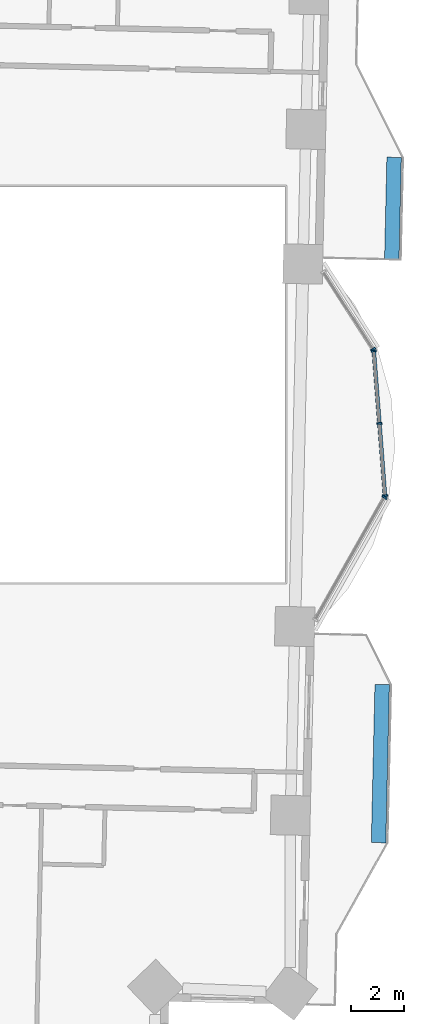
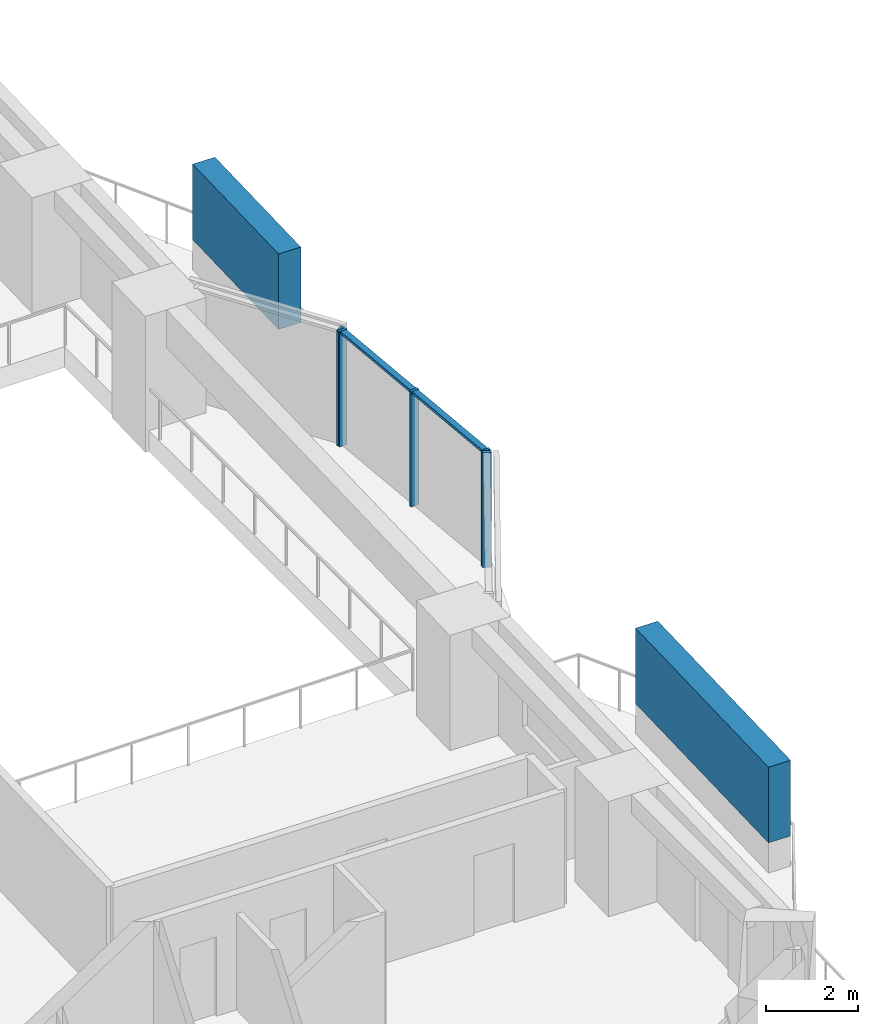
# One storey, part 5 of 19: 9 members, 3 elements without a shape of their own.
"""IFC4 building model written with IfcOpenShell, lengths in metres."""

from ifc_helpers import new_model, si_unit, direction, frame, origin, origin_2d, place, context, subcontext, project, spatial, rectangle, extrude, material, material_profile, profile_set, type_object, element, aggregate, save


model = new_model("IFC4")

# Units and contexts
model_context = context("Model", 3, precision=1e-05, world=origin(), true_north=direction((0.0, 1.0)))
body_context = subcontext(model_context, "Body", "Model", "MODEL_VIEW")
ifc_project = project(units=[si_unit("LENGTHUNIT", "METRE"), si_unit("AREAUNIT", "SQUARE_METRE"), si_unit("VOLUMEUNIT", "CUBIC_METRE"), si_unit("PLANEANGLEUNIT", "RADIAN"), si_unit("MASSUNIT", "GRAM", prefix="KILO")], contexts=[model_context])

# Site, building, storey
site_placement = place(None, origin())
site = spatial("IfcSite", under=ifc_project, at=site_placement, CompositionType="ELEMENT")
building_placement = place(site_placement, origin())
building = spatial("IfcBuilding", under=site, at=building_placement, Name="Mangrove Gate Tower", CompositionType="ELEMENT")
storey_placement = place(building_placement, frame((0.0, 0.0, 63.89990234375)))
storey = spatial("IfcBuildingStorey", under=building, at=storey_placement, Name="L15", CompositionType="ELEMENT", Elevation=63.89990234375)

# Curtain wall, member
ifc_material_1 = material(Name="Aluminium and glass curtain wall", Category="aluminium")
curtain_wall_type = type_object("IfcCurtainWallType", Name="Atrium garden-court glazing wall", PredefinedType="NOTDEFINED", material=ifc_material_1)
curtain_wall_1_placement = place(storey_placement, origin())
curtain_wall_1 = element("IfcCurtainWall", 1, at=curtain_wall_1_placement, inside=storey, type_object=curtain_wall_type, Name="Atrium garden-court glazing E1f1", PredefinedType="NOTDEFINED")
ifc_material_2 = material(Name="Aluminium alloy 6063-T6", Category="aluminium")
ifc_material_profile_1 = material_profile(ifc_material_2, rectangle(XDim=0.070068359375, YDim=0.199951171875, at=origin_2d()))
ifc_profile_set_1 = profile_set([ifc_material_profile_1], Name="Aluminium alloy 6063-T6")
member_type_1 = type_object("IfcMemberType", Name="Atrium garden-court glazing mullion 70x200", PredefinedType="MULLION", material=ifc_profile_set_1)
member_1_placement = place(storey_placement, frame((33.66162109375, -4.2822265625, 0.0), z_axis=(0.0, 0.0, 1.0), x_axis=(0.492603686489, 0.870253760726, 0.0)))
member_1 = element("IfcMember", 2, at=member_1_placement, type_object=member_type_1, Name="CWA mullion 2", PredefinedType="MULLION", context=body_context, shape_type="SweptSolid", body=[
    extrude(rectangle(XDim=0.070068359375, YDim=0.199951171875, at=origin_2d()), origin(), (0.0, 0.0, 1.0), 3.050048828125),
])
aggregate(curtain_wall_1, [member_1])

# Curtain wall, members
curtain_wall_2_placement = place(storey_placement, origin())
curtain_wall_2 = element("IfcCurtainWall", 3, at=curtain_wall_2_placement, inside=storey, type_object=curtain_wall_type, Name="Atrium garden-court glazing E1f2", PredefinedType="NOTDEFINED")
member_2_placement = place(storey_placement, frame((33.67626953125, -4.217041015625, 0.0), z_axis=(0.0, 0.0, 1.0), x_axis=(-0.077023348212, 0.997029289354, 0.0)))
member_2 = element("IfcMember", 4, at=member_2_placement, type_object=member_type_1, Name="CWA mullion 1", PredefinedType="MULLION", context=body_context, shape_type="SweptSolid", body=[
    extrude(rectangle(XDim=0.070068359375, YDim=0.199951171875, at=origin_2d()), origin(), (0.0, 0.0, 1.0), 3.050048828125),
])
member_3_placement = place(storey_placement, frame((33.46435546875, -1.473388671875, 0.0), z_axis=(0.0, 0.0, 1.0), x_axis=(-0.077023348212, 0.997029289354, 0.0)))
member_3 = element("IfcMember", 5, at=member_3_placement, type_object=member_type_1, Name="CWA mullion 2", PredefinedType="MULLION", context=body_context, shape_type="SweptSolid", body=[
    extrude(rectangle(XDim=0.070068359375, YDim=0.199951171875, at=origin_2d()), origin(), (0.0, 0.0, 1.0), 3.050048828125),
])
member_4_placement = place(storey_placement, frame((33.25244140625, 1.270263671875, 0.0), z_axis=(0.0, 0.0, 1.0), x_axis=(-0.077023348212, 0.997029289354, 0.0)))
member_4 = element("IfcMember", 6, at=member_4_placement, type_object=member_type_1, Name="CWA mullion 3", PredefinedType="MULLION", context=body_context, shape_type="SweptSolid", body=[
    extrude(rectangle(XDim=0.070068359375, YDim=0.199951171875, at=origin_2d()), origin(), (0.0, 0.0, 1.0), 3.050048828125),
])

# Curtain wall, member
curtain_wall_3_placement = place(storey_placement, origin())
curtain_wall_3 = element("IfcCurtainWall", 7, at=curtain_wall_3_placement, inside=storey, type_object=curtain_wall_type, Name="Atrium garden-court glazing E1f3", PredefinedType="NOTDEFINED")
member_5_placement = place(storey_placement, frame((33.230712890625, 1.33447265625, 0.0), z_axis=(0.0, 0.0, 1.0), x_axis=(-0.540524576597, 0.841328224948, 0.0)))
member_5 = element("IfcMember", 8, at=member_5_placement, type_object=member_type_1, Name="CWA mullion 1", PredefinedType="MULLION", context=body_context, shape_type="SweptSolid", body=[
    extrude(rectangle(XDim=0.070068359375, YDim=0.199951171875, at=origin_2d()), origin(), (0.0, 0.0, 1.0), 3.050048828125),
])
aggregate(curtain_wall_3, [member_5])

# Member
ifc_material_3 = material(Name="Aluminium alloy 6063-T6", Category="aluminium")
ifc_material_profile_2 = material_profile(ifc_material_3, rectangle(XDim=0.070068359375, YDim=0.14990234375, at=origin_2d()))
ifc_profile_set_2 = profile_set([ifc_material_profile_2], Name="Aluminium alloy 6063-T6")
member_type_2 = type_object("IfcMemberType", Name="Atrium garden-court glazing transom 70x150", PredefinedType="USERDEFINED", material=ifc_profile_set_2)
member_6_placement = place(storey_placement, frame((33.673583984375, -4.18212890625, 3.01513671875), z_axis=(-0.07701672858, 0.997029800718, 0.0), x_axis=(0.0, 0.0, 1.0)))
member_6 = element("IfcMember", 9, at=member_6_placement, type_object=member_type_2, Name="CWA transom 1.2", ObjectType="TRANSOM", PredefinedType="USERDEFINED", context=body_context, shape_type="SweptSolid", body=[
    extrude(rectangle(XDim=0.070068359375, YDim=0.14990234375, at=origin_2d()), origin(), (0.0, 0.0, 1.0), 2.681884765625),
])

member_7_placement = place(storey_placement, frame((33.461669921875, -1.4384765625, 3.01513671875), z_axis=(-0.07701672858, 0.997029800718, 0.0), x_axis=(0.0, 0.0, 1.0)))
member_7 = element("IfcMember", 10, at=member_7_placement, type_object=member_type_2, Name="CWA transom 2.2", ObjectType="TRANSOM", PredefinedType="USERDEFINED", context=body_context, shape_type="SweptSolid", body=[
    extrude(rectangle(XDim=0.070068359375, YDim=0.14990234375, at=origin_2d()), origin(), (0.0, 0.0, 1.0), 2.681884765625),
])

aggregate(curtain_wall_2, [member_2, member_3, member_4, member_6, member_7])

# Members
ifc_material_4 = material(Name="Planting on aluminium trellis", Category="aluminium")
ifc_material_profile_3 = material_profile(ifc_material_4, rectangle(XDim=0.550048828125, YDim=2.0, at=origin_2d()))
ifc_profile_set_3 = profile_set([ifc_material_profile_3], Name="Planting on aluminium trellis")
member_type_3 = type_object("IfcMemberType", Name="Balcony greenery screen 550x2000", PredefinedType="USERDEFINED", material=ifc_profile_set_3)
member_8_placement = place(storey_placement, frame((33.43408203125, -17.376953125, 1.800048828125), z_axis=(0.022824916448, 0.999739477659, 0.0), x_axis=(-0.999739477659, 0.022824916448, 0.0)))
element("IfcMember", 11, at=member_8_placement, inside=storey, type_object=member_type_3, Name="GREEN SCREEN L15 E0.1", ObjectType="PLANTING", PredefinedType="USERDEFINED", context=body_context, shape_type="SweptSolid", body=[
    extrude(rectangle(XDim=0.550048828125, YDim=2.0, at=origin_2d()), origin(), (0.0, 0.0, 1.0), 6.00048828125),
])
member_9_placement = place(storey_placement, frame((33.93603515625, 4.742919921875, 1.800048828125), z_axis=(0.022681332769, 0.999742745482, 0.0), x_axis=(-0.999742745482, 0.022681332769, 0.0)))
element("IfcMember", 12, at=member_9_placement, inside=storey, type_object=member_type_3, Name="GREEN SCREEN L15 E1.1", ObjectType="PLANTING", PredefinedType="USERDEFINED", context=body_context, shape_type="SweptSolid", body=[
    extrude(rectangle(XDim=0.550048828125, YDim=2.0, at=origin_2d()), origin(), (0.0, 0.0, 1.0), 3.875),
])

save(model, "model.ifc")
